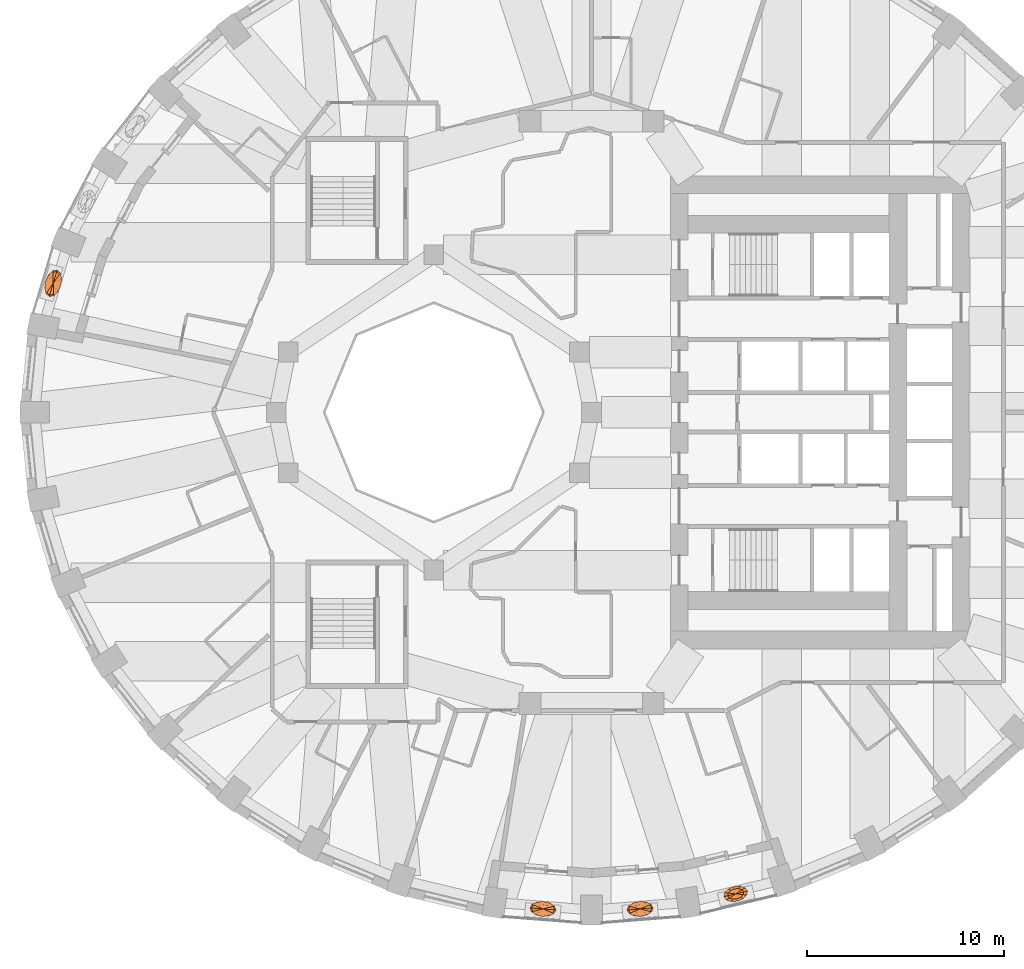
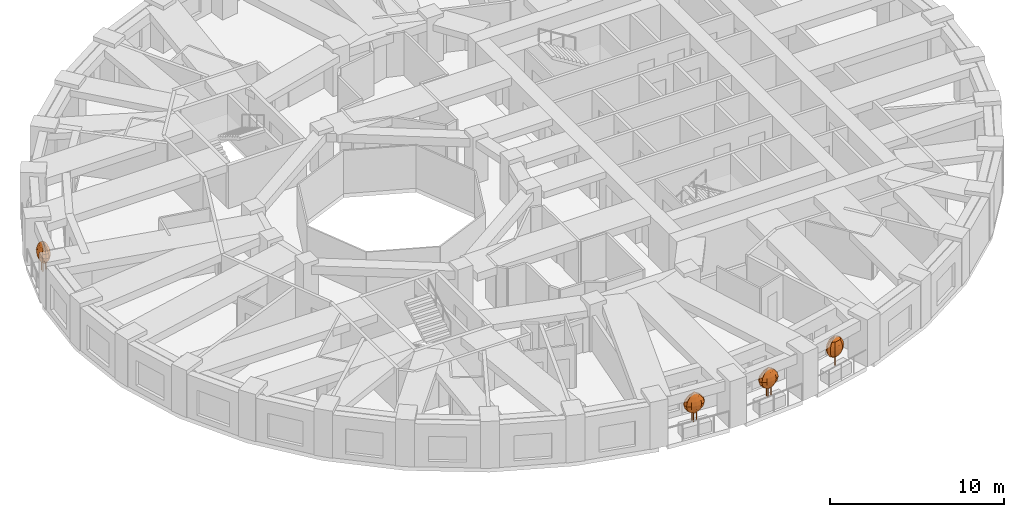
# One storey, part 12 of 13: 4 geographic elements.
"""IFC4 building model written with IfcOpenShell, lengths in metres."""

from ifc_helpers import new_model, si_unit, direction, frame, origin, place, context, subcontext, project, spatial, faceted_brep, material, constituent, constituent_set, type_object, element, save


model = new_model("IFC4")

# Units and contexts
model_context = context("Model", 3, precision=1e-05, world=origin(), true_north=direction((0.0, 1.0)))
body_context = subcontext(model_context, "Body", "Model", "MODEL_VIEW")
ifc_project = project(units=[si_unit("LENGTHUNIT", "METRE"), si_unit("AREAUNIT", "SQUARE_METRE"), si_unit("VOLUMEUNIT", "CUBIC_METRE"), si_unit("PLANEANGLEUNIT", "RADIAN"), si_unit("MASSUNIT", "GRAM", prefix="KILO")], contexts=[model_context])

# Site, building, storey
site_placement = place(None, origin())
site = spatial("IfcSite", under=ifc_project, at=site_placement, CompositionType="ELEMENT")
building_placement = place(site_placement, origin())
building = spatial("IfcBuilding", under=site, at=building_placement, Name="Taillehof Tower", CompositionType="ELEMENT")
storey_placement = place(building_placement, frame((0.0, 0.0, 74.5)))
storey = spatial("IfcBuildingStorey", under=building, at=storey_placement, Name="L20", CompositionType="ELEMENT", Elevation=74.5)

# Geographic elements
ifc_material_1 = material(Name="Tree bark", Category="timber")
ifc_constituent_1 = constituent(ifc_material_1, Name="Trunk", Category="timber")
ifc_material_2 = material(Name="Tree foliage")
ifc_constituent_2 = constituent(ifc_material_2, Name="Crown")
ifc_constituent_set_1 = constituent_set(constituents=[ifc_constituent_1, ifc_constituent_2], Name="Tree TR1 Columnar hornbeam")
geographic_element_type_1 = type_object("IfcGeographicElementType", Name="Tree TR1 Columnar hornbeam", PredefinedType="USERDEFINED", material=ifc_constituent_set_1)
geographic_element_1_placement = place(storey_placement, frame((7.31640625, -24.430419921875, 0.75)))
element("IfcGeographicElement", 1, at=geographic_element_1_placement, inside=storey, type_object=geographic_element_type_1, Name="Tree TR1 Columnar hornbeam", ObjectType="TREE", PredefinedType="USERDEFINED", context=body_context, shape_type="Brep", body=[
    faceted_brep([(0.030029296875, 0.0, 0.0), (0.021240234375, 0.021240234375, 0.0), (0.021240234375, 0.021240234375, 1.092529296875), (0.030029296875, 0.0, 1.092529296875), (0.0, 0.030029296875, 0.0), (0.0, 0.030029296875, 1.092529296875), (-0.021240234375, 0.021240234375, 0.0), (-0.021240234375, 0.021240234375, 1.092529296875), (-0.030029296875, 0.0, 0.0), (-0.030029296875, 0.0, 1.092529296875), (-0.021240234375, -0.021240234375, 0.0), (-0.021240234375, -0.021240234375, 1.092529296875), (0.0, -0.030029296875, 0.0), (0.0, -0.030029296875, 1.092529296875), (0.021240234375, -0.021240234375, 0.0), (0.021240234375, -0.021240234375, 1.092529296875)], [[[0, 1, 2, 3]], [[1, 4, 5, 2]], [[4, 6, 7, 5]], [[6, 8, 9, 7]], [[8, 10, 11, 9]], [[10, 12, 13, 11]], [[12, 14, 15, 13]], [[14, 0, 3, 15]], [[14, 12, 10, 8, 6, 4, 1, 0]], [[3, 2, 5, 7, 9, 11, 13, 15]]]),
    faceted_brep([(0.0, 0.0, 0.550048828125), (0.324951171875, 0.211181640625, 0.808349609375), (0.41015625, 0.09814453125, 0.808349609375), (0.15283203125, 0.267822265625, 0.808349609375), (-0.060546875, 0.25244140625, 0.808349609375), (-0.25732421875, 0.16943359375, 0.808349609375), (-0.385498046875, 0.041015625, 0.808349609375), (-0.41015625, -0.09814453125, 0.808349609375), (-0.324951171875, -0.211181640625, 0.808349609375), (-0.15283203125, -0.267822265625, 0.808349609375), (0.060546875, -0.25244140625, 0.808349609375), (0.25732421875, -0.16943359375, 0.808349609375), (0.385498046875, -0.041015625, 0.808349609375), (0.439697265625, 0.285888671875, 1.066650390625), (0.554931640625, 0.1328125, 1.066650390625), (0.20654296875, 0.362060546875, 1.066650390625), (-0.081787109375, 0.341552734375, 1.066650390625), (-0.34814453125, 0.229248046875, 1.066650390625), (-0.521484375, 0.0556640625, 1.066650390625), (-0.554931640625, -0.1328125, 1.066650390625), (-0.439697265625, -0.285888671875, 1.066650390625), (-0.20654296875, -0.362060546875, 1.066650390625), (0.081787109375, -0.341552734375, 1.066650390625), (0.34814453125, -0.229248046875, 1.066650390625), (0.521484375, -0.0556640625, 1.066650390625), (0.475830078125, 0.309326171875, 1.324951171875), (0.6005859375, 0.143798828125, 1.324951171875), (0.2236328125, 0.391845703125, 1.324951171875), (-0.088623046875, 0.36962890625, 1.324951171875), (-0.376953125, 0.248046875, 1.324951171875), (-0.564208984375, 0.060302734375, 1.324951171875), (-0.6005859375, -0.143798828125, 1.324951171875), (-0.475830078125, -0.309326171875, 1.324951171875), (-0.2236328125, -0.391845703125, 1.324951171875), (0.088623046875, -0.36962890625, 1.324951171875), (0.376953125, -0.248046875, 1.324951171875), (0.564208984375, -0.060302734375, 1.324951171875), (0.439697265625, 0.285888671875, 1.583251953125), (0.554931640625, 0.1328125, 1.583251953125), (0.20654296875, 0.362060546875, 1.583251953125), (-0.081787109375, 0.341552734375, 1.583251953125), (-0.34814453125, 0.229248046875, 1.583251953125), (-0.521484375, 0.0556640625, 1.583251953125), (-0.554931640625, -0.1328125, 1.583251953125), (-0.439697265625, -0.285888671875, 1.583251953125), (-0.20654296875, -0.362060546875, 1.583251953125), (0.081787109375, -0.341552734375, 1.583251953125), (0.34814453125, -0.229248046875, 1.583251953125), (0.521484375, -0.0556640625, 1.583251953125), (0.324951171875, 0.211181640625, 1.841552734375), (0.41015625, 0.09814453125, 1.841552734375), (0.15283203125, 0.267822265625, 1.841552734375), (-0.060546875, 0.25244140625, 1.841552734375), (-0.25732421875, 0.16943359375, 1.841552734375), (-0.385498046875, 0.041015625, 1.841552734375), (-0.41015625, -0.09814453125, 1.841552734375), (-0.324951171875, -0.211181640625, 1.841552734375), (-0.15283203125, -0.267822265625, 1.841552734375), (0.060546875, -0.25244140625, 1.841552734375), (0.25732421875, -0.16943359375, 1.841552734375), (0.385498046875, -0.041015625, 1.841552734375), (0.0, 0.0, 2.10009765625)], [[[0, 1, 2]], [[0, 3, 1]], [[0, 4, 3]], [[0, 5, 4]], [[0, 6, 5]], [[0, 7, 6]], [[0, 8, 7]], [[0, 9, 8]], [[0, 10, 9]], [[0, 11, 10]], [[0, 12, 11]], [[0, 2, 12]], [[2, 1, 13, 14]], [[1, 3, 15, 13]], [[3, 4, 16, 15]], [[4, 5, 17, 16]], [[5, 6, 18, 17]], [[6, 7, 19, 18]], [[7, 8, 20, 19]], [[8, 9, 21, 20]], [[9, 10, 22, 21]], [[10, 11, 23, 22]], [[11, 12, 24, 23]], [[12, 2, 14, 24]], [[14, 13, 25, 26]], [[13, 15, 27, 25]], [[15, 16, 28, 27]], [[16, 17, 29, 28]], [[17, 18, 30, 29]], [[18, 19, 31, 30]], [[19, 20, 32, 31]], [[20, 21, 33, 32]], [[21, 22, 34, 33]], [[22, 23, 35, 34]], [[23, 24, 36, 35]], [[24, 14, 26, 36]], [[26, 25, 37, 38]], [[25, 27, 39, 37]], [[27, 28, 40, 39]], [[28, 29, 41, 40]], [[29, 30, 42, 41]], [[30, 31, 43, 42]], [[31, 32, 44, 43]], [[32, 33, 45, 44]], [[33, 34, 46, 45]], [[34, 35, 47, 46]], [[35, 36, 48, 47]], [[36, 26, 38, 48]], [[38, 37, 49, 50]], [[37, 39, 51, 49]], [[39, 40, 52, 51]], [[40, 41, 53, 52]], [[41, 42, 54, 53]], [[42, 43, 55, 54]], [[43, 44, 56, 55]], [[44, 45, 57, 56]], [[45, 46, 58, 57]], [[46, 47, 59, 58]], [[47, 48, 60, 59]], [[48, 38, 50, 60]], [[50, 49, 61]], [[49, 51, 61]], [[51, 52, 61]], [[52, 53, 61]], [[53, 54, 61]], [[54, 55, 61]], [[55, 56, 61]], [[56, 57, 61]], [[57, 58, 61]], [[58, 59, 61]], [[59, 60, 61]], [[60, 50, 61]]]),
])
ifc_material_3 = material(Name="Tree bark", Category="timber")
ifc_constituent_3 = constituent(ifc_material_3, Name="Trunk", Category="timber")
ifc_material_4 = material(Name="Tree foliage")
ifc_constituent_4 = constituent(ifc_material_4, Name="Crown")
ifc_constituent_set_2 = constituent_set(constituents=[ifc_constituent_3, ifc_constituent_4], Name="Tree TR3 Multi-stem serviceberry")
geographic_element_type_2 = type_object("IfcGeographicElementType", Name="Tree TR3 Multi-stem serviceberry", PredefinedType="USERDEFINED", material=ifc_constituent_set_2)
geographic_element_2_placement = place(storey_placement, frame((-2.463623046875, -25.195556640625, 0.75)))
element("IfcGeographicElement", 2, at=geographic_element_2_placement, inside=storey, type_object=geographic_element_type_2, Name="Tree TR3 Multi-stem serviceberry", ObjectType="TREE", PredefinedType="USERDEFINED", context=body_context, shape_type="Brep", body=[
    faceted_brep([(0.195068359375, 0.0, 0.0), (0.186767578125, 0.0205078125, 0.0), (0.186767578125, 0.0205078125, 1.04248046875), (0.195068359375, 0.0, 1.04248046875), (0.166259765625, 0.02880859375, 0.0), (0.166259765625, 0.02880859375, 1.04248046875), (0.145751953125, 0.0205078125, 0.0), (0.145751953125, 0.0205078125, 1.04248046875), (0.137451171875, 0.0, 0.0), (0.137451171875, 0.0, 1.04248046875), (0.145751953125, -0.0205078125, 0.0), (0.145751953125, -0.0205078125, 1.04248046875), (0.166259765625, -0.02880859375, 0.0), (0.166259765625, -0.02880859375, 1.04248046875), (0.186767578125, -0.0205078125, 0.0), (0.186767578125, -0.0205078125, 1.04248046875)], [[[0, 1, 2, 3]], [[1, 4, 5, 2]], [[4, 6, 7, 5]], [[6, 8, 9, 7]], [[8, 10, 11, 9]], [[10, 12, 13, 11]], [[12, 14, 15, 13]], [[14, 0, 3, 15]], [[14, 12, 10, 8, 6, 4, 1, 0]], [[3, 2, 5, 7, 9, 11, 13, 15]]]),
    faceted_brep([(-0.05419921875, 0.082275390625, 0.0), (-0.062744140625, 0.102783203125, 0.0), (-0.062744140625, 0.102783203125, 1.04248046875), (-0.05419921875, 0.082275390625, 1.04248046875), (-0.0830078125, 0.111083984375, 0.0), (-0.0830078125, 0.111083984375, 1.04248046875), (-0.103515625, 0.102783203125, 0.0), (-0.103515625, 0.102783203125, 1.04248046875), (-0.112060546875, 0.082275390625, 0.0), (-0.112060546875, 0.082275390625, 1.04248046875), (-0.103515625, 0.061767578125, 0.0), (-0.103515625, 0.061767578125, 1.04248046875), (-0.0830078125, 0.053466796875, 0.0), (-0.0830078125, 0.053466796875, 1.04248046875), (-0.062744140625, 0.061767578125, 0.0), (-0.062744140625, 0.061767578125, 1.04248046875)], [[[0, 1, 2, 3]], [[1, 4, 5, 2]], [[4, 6, 7, 5]], [[6, 8, 9, 7]], [[8, 10, 11, 9]], [[10, 12, 13, 11]], [[12, 14, 15, 13]], [[14, 0, 3, 15]], [[14, 12, 10, 8, 6, 4, 1, 0]], [[3, 2, 5, 7, 9, 11, 13, 15]]]),
    faceted_brep([(-0.05419921875, -0.082275390625, 0.0), (-0.062744140625, -0.061767578125, 0.0), (-0.062744140625, -0.061767578125, 1.04248046875), (-0.05419921875, -0.082275390625, 1.04248046875), (-0.0830078125, -0.053466796875, 0.0), (-0.0830078125, -0.053466796875, 1.04248046875), (-0.103515625, -0.061767578125, 0.0), (-0.103515625, -0.061767578125, 1.04248046875), (-0.112060546875, -0.082275390625, 0.0), (-0.112060546875, -0.082275390625, 1.04248046875), (-0.103515625, -0.102783203125, 0.0), (-0.103515625, -0.102783203125, 1.04248046875), (-0.0830078125, -0.111083984375, 0.0), (-0.0830078125, -0.111083984375, 1.04248046875), (-0.062744140625, -0.102783203125, 0.0), (-0.062744140625, -0.102783203125, 1.04248046875)], [[[0, 1, 2, 3]], [[1, 4, 5, 2]], [[4, 6, 7, 5]], [[6, 8, 9, 7]], [[8, 10, 11, 9]], [[10, 12, 13, 11]], [[12, 14, 15, 13]], [[14, 0, 3, 15]], [[14, 12, 10, 8, 6, 4, 1, 0]], [[3, 2, 5, 7, 9, 11, 13, 15]]]),
    faceted_brep([(0.0, 0.0, 0.5), (0.33837890625, 0.0830078125, 0.75830078125), (0.380859375, -0.02978515625, 0.75830078125), (0.205078125, 0.173583984375, 0.75830078125), (0.01708984375, 0.217529296875, 0.75830078125), (-0.175537109375, 0.203369140625, 0.75830078125), (-0.3212890625, 0.134521484375, 0.75830078125), (-0.380859375, 0.02978515625, 0.75830078125), (-0.33837890625, -0.0830078125, 0.75830078125), (-0.205078125, -0.173583984375, 0.75830078125), (-0.01708984375, -0.217529296875, 0.75830078125), (0.175537109375, -0.203369140625, 0.75830078125), (0.3212890625, -0.134521484375, 0.75830078125), (0.52490234375, 0.12890625, 1.0166015625), (0.5908203125, -0.046142578125, 1.0166015625), (0.318359375, 0.269287109375, 1.0166015625), (0.0263671875, 0.337646484375, 1.0166015625), (-0.272705078125, 0.3154296875, 1.0166015625), (-0.49853515625, 0.208740234375, 1.0166015625), (-0.5908203125, 0.046142578125, 1.0166015625), (-0.52490234375, -0.12890625, 1.0166015625), (-0.318359375, -0.269287109375, 1.0166015625), (-0.0263671875, -0.337646484375, 1.0166015625), (0.272705078125, -0.3154296875, 1.0166015625), (0.49853515625, -0.208740234375, 1.0166015625), (0.5888671875, 0.14453125, 1.27490234375), (0.6630859375, -0.0517578125, 1.27490234375), (0.357177734375, 0.30224609375, 1.27490234375), (0.029541015625, 0.37890625, 1.27490234375), (-0.305908203125, 0.35400390625, 1.27490234375), (-0.559326171875, 0.234375, 1.27490234375), (-0.6630859375, 0.0517578125, 1.27490234375), (-0.5888671875, -0.14453125, 1.27490234375), (-0.357177734375, -0.30224609375, 1.27490234375), (-0.029541015625, -0.37890625, 1.27490234375), (0.305908203125, -0.35400390625, 1.27490234375), (0.559326171875, -0.234375, 1.27490234375), (0.52490234375, 0.12890625, 1.533447265625), (0.5908203125, -0.046142578125, 1.533447265625), (0.318359375, 0.269287109375, 1.533447265625), (0.0263671875, 0.337646484375, 1.533447265625), (-0.272705078125, 0.3154296875, 1.533447265625), (-0.49853515625, 0.208740234375, 1.533447265625), (-0.5908203125, 0.046142578125, 1.533447265625), (-0.52490234375, -0.12890625, 1.533447265625), (-0.318359375, -0.269287109375, 1.533447265625), (-0.0263671875, -0.337646484375, 1.533447265625), (0.272705078125, -0.3154296875, 1.533447265625), (0.49853515625, -0.208740234375, 1.533447265625), (0.33837890625, 0.0830078125, 1.791748046875), (0.380859375, -0.02978515625, 1.791748046875), (0.205078125, 0.173583984375, 1.791748046875), (0.01708984375, 0.217529296875, 1.791748046875), (-0.175537109375, 0.203369140625, 1.791748046875), (-0.3212890625, 0.134521484375, 1.791748046875), (-0.380859375, 0.02978515625, 1.791748046875), (-0.33837890625, -0.0830078125, 1.791748046875), (-0.205078125, -0.173583984375, 1.791748046875), (-0.01708984375, -0.217529296875, 1.791748046875), (0.175537109375, -0.203369140625, 1.791748046875), (0.3212890625, -0.134521484375, 1.791748046875), (0.0, 0.0, 2.050048828125)], [[[0, 1, 2]], [[0, 3, 1]], [[0, 4, 3]], [[0, 5, 4]], [[0, 6, 5]], [[0, 7, 6]], [[0, 8, 7]], [[0, 9, 8]], [[0, 10, 9]], [[0, 11, 10]], [[0, 12, 11]], [[0, 2, 12]], [[2, 1, 13, 14]], [[1, 3, 15, 13]], [[3, 4, 16, 15]], [[4, 5, 17, 16]], [[5, 6, 18, 17]], [[6, 7, 19, 18]], [[7, 8, 20, 19]], [[8, 9, 21, 20]], [[9, 10, 22, 21]], [[10, 11, 23, 22]], [[11, 12, 24, 23]], [[12, 2, 14, 24]], [[14, 13, 25, 26]], [[13, 15, 27, 25]], [[15, 16, 28, 27]], [[16, 17, 29, 28]], [[17, 18, 30, 29]], [[18, 19, 31, 30]], [[19, 20, 32, 31]], [[20, 21, 33, 32]], [[21, 22, 34, 33]], [[22, 23, 35, 34]], [[23, 24, 36, 35]], [[24, 14, 26, 36]], [[26, 25, 37, 38]], [[25, 27, 39, 37]], [[27, 28, 40, 39]], [[28, 29, 41, 40]], [[29, 30, 42, 41]], [[30, 31, 43, 42]], [[31, 32, 44, 43]], [[32, 33, 45, 44]], [[33, 34, 46, 45]], [[34, 35, 47, 46]], [[35, 36, 48, 47]], [[36, 26, 38, 48]], [[38, 37, 49, 50]], [[37, 39, 51, 49]], [[39, 40, 52, 51]], [[40, 41, 53, 52]], [[41, 42, 54, 53]], [[42, 43, 55, 54]], [[43, 44, 56, 55]], [[44, 45, 57, 56]], [[45, 46, 58, 57]], [[46, 47, 59, 58]], [[47, 48, 60, 59]], [[48, 38, 50, 60]], [[50, 49, 61]], [[49, 51, 61]], [[51, 52, 61]], [[52, 53, 61]], [[53, 54, 61]], [[54, 55, 61]], [[55, 56, 61]], [[56, 57, 61]], [[57, 58, 61]], [[58, 59, 61]], [[59, 60, 61]], [[60, 50, 61]]]),
])
geographic_element_3_placement = place(storey_placement, frame((2.463623046875, -25.195556640625, 0.75)))
element("IfcGeographicElement", 3, at=geographic_element_3_placement, inside=storey, type_object=geographic_element_type_2, Name="Tree TR3 Multi-stem serviceberry", ObjectType="TREE", PredefinedType="USERDEFINED", context=body_context, shape_type="Brep", body=[
    faceted_brep([(0.195068359375, 0.0, 0.0), (0.186767578125, 0.0205078125, 0.0), (0.186767578125, 0.0205078125, 1.04248046875), (0.195068359375, 0.0, 1.04248046875), (0.166259765625, 0.02880859375, 0.0), (0.166259765625, 0.02880859375, 1.04248046875), (0.145751953125, 0.0205078125, 0.0), (0.145751953125, 0.0205078125, 1.04248046875), (0.137451171875, 0.0, 0.0), (0.137451171875, 0.0, 1.04248046875), (0.145751953125, -0.0205078125, 0.0), (0.145751953125, -0.0205078125, 1.04248046875), (0.166259765625, -0.02880859375, 0.0), (0.166259765625, -0.02880859375, 1.04248046875), (0.186767578125, -0.0205078125, 0.0), (0.186767578125, -0.0205078125, 1.04248046875)], [[[0, 1, 2, 3]], [[1, 4, 5, 2]], [[4, 6, 7, 5]], [[6, 8, 9, 7]], [[8, 10, 11, 9]], [[10, 12, 13, 11]], [[12, 14, 15, 13]], [[14, 0, 3, 15]], [[14, 12, 10, 8, 6, 4, 1, 0]], [[3, 2, 5, 7, 9, 11, 13, 15]]]),
    faceted_brep([(-0.05419921875, 0.082275390625, 0.0), (-0.062744140625, 0.102783203125, 0.0), (-0.062744140625, 0.102783203125, 1.04248046875), (-0.05419921875, 0.082275390625, 1.04248046875), (-0.0830078125, 0.111083984375, 0.0), (-0.0830078125, 0.111083984375, 1.04248046875), (-0.103515625, 0.102783203125, 0.0), (-0.103515625, 0.102783203125, 1.04248046875), (-0.112060546875, 0.082275390625, 0.0), (-0.112060546875, 0.082275390625, 1.04248046875), (-0.103515625, 0.061767578125, 0.0), (-0.103515625, 0.061767578125, 1.04248046875), (-0.0830078125, 0.053466796875, 0.0), (-0.0830078125, 0.053466796875, 1.04248046875), (-0.062744140625, 0.061767578125, 0.0), (-0.062744140625, 0.061767578125, 1.04248046875)], [[[0, 1, 2, 3]], [[1, 4, 5, 2]], [[4, 6, 7, 5]], [[6, 8, 9, 7]], [[8, 10, 11, 9]], [[10, 12, 13, 11]], [[12, 14, 15, 13]], [[14, 0, 3, 15]], [[14, 12, 10, 8, 6, 4, 1, 0]], [[3, 2, 5, 7, 9, 11, 13, 15]]]),
    faceted_brep([(-0.05419921875, -0.082275390625, 0.0), (-0.062744140625, -0.061767578125, 0.0), (-0.062744140625, -0.061767578125, 1.04248046875), (-0.05419921875, -0.082275390625, 1.04248046875), (-0.0830078125, -0.053466796875, 0.0), (-0.0830078125, -0.053466796875, 1.04248046875), (-0.103515625, -0.061767578125, 0.0), (-0.103515625, -0.061767578125, 1.04248046875), (-0.112060546875, -0.082275390625, 0.0), (-0.112060546875, -0.082275390625, 1.04248046875), (-0.103515625, -0.102783203125, 0.0), (-0.103515625, -0.102783203125, 1.04248046875), (-0.0830078125, -0.111083984375, 0.0), (-0.0830078125, -0.111083984375, 1.04248046875), (-0.062744140625, -0.102783203125, 0.0), (-0.062744140625, -0.102783203125, 1.04248046875)], [[[0, 1, 2, 3]], [[1, 4, 5, 2]], [[4, 6, 7, 5]], [[6, 8, 9, 7]], [[8, 10, 11, 9]], [[10, 12, 13, 11]], [[12, 14, 15, 13]], [[14, 0, 3, 15]], [[14, 12, 10, 8, 6, 4, 1, 0]], [[3, 2, 5, 7, 9, 11, 13, 15]]]),
    faceted_brep([(0.0, 0.0, 0.5), (0.3212890625, 0.134521484375, 0.75830078125), (0.380859375, 0.02978515625, 0.75830078125), (0.175537109375, 0.203369140625, 0.75830078125), (-0.01708984375, 0.217529296875, 0.75830078125), (-0.205078125, 0.173583984375, 0.75830078125), (-0.33837890625, 0.0830078125, 0.75830078125), (-0.380859375, -0.02978515625, 0.75830078125), (-0.3212890625, -0.134521484375, 0.75830078125), (-0.175537109375, -0.203369140625, 0.75830078125), (0.01708984375, -0.217529296875, 0.75830078125), (0.205078125, -0.173583984375, 0.75830078125), (0.33837890625, -0.0830078125, 0.75830078125), (0.49853515625, 0.208740234375, 1.0166015625), (0.5908203125, 0.046142578125, 1.0166015625), (0.272705078125, 0.3154296875, 1.0166015625), (-0.0263671875, 0.337646484375, 1.0166015625), (-0.318359375, 0.269287109375, 1.0166015625), (-0.52490234375, 0.12890625, 1.0166015625), (-0.5908203125, -0.046142578125, 1.0166015625), (-0.49853515625, -0.208740234375, 1.0166015625), (-0.272705078125, -0.3154296875, 1.0166015625), (0.0263671875, -0.337646484375, 1.0166015625), (0.318359375, -0.269287109375, 1.0166015625), (0.52490234375, -0.12890625, 1.0166015625), (0.559326171875, 0.234375, 1.27490234375), (0.6630859375, 0.0517578125, 1.27490234375), (0.305908203125, 0.35400390625, 1.27490234375), (-0.029541015625, 0.37890625, 1.27490234375), (-0.357177734375, 0.30224609375, 1.27490234375), (-0.5888671875, 0.14453125, 1.27490234375), (-0.6630859375, -0.0517578125, 1.27490234375), (-0.559326171875, -0.234375, 1.27490234375), (-0.305908203125, -0.35400390625, 1.27490234375), (0.029541015625, -0.37890625, 1.27490234375), (0.357177734375, -0.30224609375, 1.27490234375), (0.5888671875, -0.14453125, 1.27490234375), (0.49853515625, 0.208740234375, 1.533447265625), (0.5908203125, 0.046142578125, 1.533447265625), (0.272705078125, 0.3154296875, 1.533447265625), (-0.0263671875, 0.337646484375, 1.533447265625), (-0.318359375, 0.269287109375, 1.533447265625), (-0.52490234375, 0.12890625, 1.533447265625), (-0.5908203125, -0.046142578125, 1.533447265625), (-0.49853515625, -0.208740234375, 1.533447265625), (-0.272705078125, -0.3154296875, 1.533447265625), (0.0263671875, -0.337646484375, 1.533447265625), (0.318359375, -0.269287109375, 1.533447265625), (0.52490234375, -0.12890625, 1.533447265625), (0.3212890625, 0.134521484375, 1.791748046875), (0.380859375, 0.02978515625, 1.791748046875), (0.175537109375, 0.203369140625, 1.791748046875), (-0.01708984375, 0.217529296875, 1.791748046875), (-0.205078125, 0.173583984375, 1.791748046875), (-0.33837890625, 0.0830078125, 1.791748046875), (-0.380859375, -0.02978515625, 1.791748046875), (-0.3212890625, -0.134521484375, 1.791748046875), (-0.175537109375, -0.203369140625, 1.791748046875), (0.01708984375, -0.217529296875, 1.791748046875), (0.205078125, -0.173583984375, 1.791748046875), (0.33837890625, -0.0830078125, 1.791748046875), (0.0, 0.0, 2.050048828125)], [[[0, 1, 2]], [[0, 3, 1]], [[0, 4, 3]], [[0, 5, 4]], [[0, 6, 5]], [[0, 7, 6]], [[0, 8, 7]], [[0, 9, 8]], [[0, 10, 9]], [[0, 11, 10]], [[0, 12, 11]], [[0, 2, 12]], [[2, 1, 13, 14]], [[1, 3, 15, 13]], [[3, 4, 16, 15]], [[4, 5, 17, 16]], [[5, 6, 18, 17]], [[6, 7, 19, 18]], [[7, 8, 20, 19]], [[8, 9, 21, 20]], [[9, 10, 22, 21]], [[10, 11, 23, 22]], [[11, 12, 24, 23]], [[12, 2, 14, 24]], [[14, 13, 25, 26]], [[13, 15, 27, 25]], [[15, 16, 28, 27]], [[16, 17, 29, 28]], [[17, 18, 30, 29]], [[18, 19, 31, 30]], [[19, 20, 32, 31]], [[20, 21, 33, 32]], [[21, 22, 34, 33]], [[22, 23, 35, 34]], [[23, 24, 36, 35]], [[24, 14, 26, 36]], [[26, 25, 37, 38]], [[25, 27, 39, 37]], [[27, 28, 40, 39]], [[28, 29, 41, 40]], [[29, 30, 42, 41]], [[30, 31, 43, 42]], [[31, 32, 44, 43]], [[32, 33, 45, 44]], [[33, 34, 46, 45]], [[34, 35, 47, 46]], [[35, 36, 48, 47]], [[36, 26, 38, 48]], [[38, 37, 49, 50]], [[37, 39, 51, 49]], [[39, 40, 52, 51]], [[40, 41, 53, 52]], [[41, 42, 54, 53]], [[42, 43, 55, 54]], [[43, 44, 56, 55]], [[44, 45, 57, 56]], [[45, 46, 58, 57]], [[46, 47, 59, 58]], [[47, 48, 60, 59]], [[48, 38, 50, 60]], [[50, 49, 61]], [[49, 51, 61]], [[51, 52, 61]], [[52, 53, 61]], [[53, 54, 61]], [[54, 55, 61]], [[55, 56, 61]], [[56, 57, 61]], [[57, 58, 61]], [[58, 59, 61]], [[59, 60, 61]], [[60, 50, 61]]]),
])
geographic_element_4_placement = place(storey_placement, frame((-27.314697265625, 6.548583984375, 0.75)))
element("IfcGeographicElement", 4, at=geographic_element_4_placement, inside=storey, type_object=geographic_element_type_2, Name="Tree TR3 Multi-stem serviceberry", ObjectType="TREE", PredefinedType="USERDEFINED", context=body_context, shape_type="Brep", body=[
    faceted_brep([(0.203857421875, 0.0, 0.0), (0.1953125, 0.0205078125, 0.0), (0.1953125, 0.0205078125, 1.04248046875), (0.203857421875, 0.0, 1.04248046875), (0.175048828125, 0.02880859375, 0.0), (0.175048828125, 0.02880859375, 1.04248046875), (0.154541015625, 0.0205078125, 0.0), (0.154541015625, 0.0205078125, 1.04248046875), (0.146240234375, 0.0, 0.0), (0.146240234375, 0.0, 1.04248046875), (0.154541015625, -0.0205078125, 0.0), (0.154541015625, -0.0205078125, 1.04248046875), (0.175048828125, -0.02880859375, 0.0), (0.175048828125, -0.02880859375, 1.04248046875), (0.1953125, -0.0205078125, 0.0), (0.1953125, -0.0205078125, 1.04248046875)], [[[0, 1, 2, 3]], [[1, 4, 5, 2]], [[4, 6, 7, 5]], [[6, 8, 9, 7]], [[8, 10, 11, 9]], [[10, 12, 13, 11]], [[12, 14, 15, 13]], [[14, 0, 3, 15]], [[14, 12, 10, 8, 6, 4, 1, 0]], [[3, 2, 5, 7, 9, 11, 13, 15]]]),
    faceted_brep([(-0.05859375, 0.086669921875, 0.0), (-0.067138671875, 0.10693359375, 0.0), (-0.067138671875, 0.10693359375, 1.04248046875), (-0.05859375, 0.086669921875, 1.04248046875), (-0.08740234375, 0.115478515625, 0.0), (-0.08740234375, 0.115478515625, 1.04248046875), (-0.10791015625, 0.10693359375, 0.0), (-0.10791015625, 0.10693359375, 1.04248046875), (-0.116455078125, 0.086669921875, 0.0), (-0.116455078125, 0.086669921875, 1.04248046875), (-0.10791015625, 0.066162109375, 0.0), (-0.10791015625, 0.066162109375, 1.04248046875), (-0.08740234375, 0.0576171875, 0.0), (-0.08740234375, 0.0576171875, 1.04248046875), (-0.067138671875, 0.066162109375, 0.0), (-0.067138671875, 0.066162109375, 1.04248046875)], [[[0, 1, 2, 3]], [[1, 4, 5, 2]], [[4, 6, 7, 5]], [[6, 8, 9, 7]], [[8, 10, 11, 9]], [[10, 12, 13, 11]], [[12, 14, 15, 13]], [[14, 0, 3, 15]], [[14, 12, 10, 8, 6, 4, 1, 0]], [[3, 2, 5, 7, 9, 11, 13, 15]]]),
    faceted_brep([(-0.05859375, -0.086669921875, 0.0), (-0.067138671875, -0.066162109375, 0.0), (-0.067138671875, -0.066162109375, 1.04248046875), (-0.05859375, -0.086669921875, 1.04248046875), (-0.08740234375, -0.0576171875, 0.0), (-0.08740234375, -0.0576171875, 1.04248046875), (-0.10791015625, -0.066162109375, 0.0), (-0.10791015625, -0.066162109375, 1.04248046875), (-0.116455078125, -0.086669921875, 0.0), (-0.116455078125, -0.086669921875, 1.04248046875), (-0.10791015625, -0.10693359375, 0.0), (-0.10791015625, -0.10693359375, 1.04248046875), (-0.08740234375, -0.115478515625, 0.0), (-0.08740234375, -0.115478515625, 1.04248046875), (-0.067138671875, -0.10693359375, 0.0), (-0.067138671875, -0.10693359375, 1.04248046875)], [[[0, 1, 2, 3]], [[1, 4, 5, 2]], [[4, 6, 7, 5]], [[6, 8, 9, 7]], [[8, 10, 11, 9]], [[10, 12, 13, 11]], [[12, 14, 15, 13]], [[14, 0, 3, 15]], [[14, 12, 10, 8, 6, 4, 1, 0]], [[3, 2, 5, 7, 9, 11, 13, 15]]]),
    faceted_brep([(0.0, 0.0, 0.5), (0.010009765625, -0.366455078125, 0.75830078125), (-0.115478515625, -0.385009765625, 0.75830078125), (0.1328125, -0.249755859375, 0.75830078125), (0.219970703125, -0.06591796875, 0.75830078125), (0.248291015625, 0.135498046875, 0.75830078125), (0.2099609375, 0.300537109375, 0.75830078125), (0.115478515625, 0.385009765625, 0.75830078125), (-0.010009765625, 0.366455078125, 0.75830078125), (-0.1328125, 0.249755859375, 0.75830078125), (-0.219970703125, 0.06591796875, 0.75830078125), (-0.248291015625, -0.135498046875, 0.75830078125), (-0.2099609375, -0.300537109375, 0.75830078125), (0.015625, -0.56884765625, 1.0166015625), (-0.17919921875, -0.59765625, 1.0166015625), (0.206298828125, -0.387451171875, 1.0166015625), (0.341552734375, -0.102294921875, 1.0166015625), (0.38525390625, 0.210205078125, 1.0166015625), (0.325927734375, 0.46630859375, 1.0166015625), (0.17919921875, 0.59765625, 1.0166015625), (-0.015625, 0.56884765625, 1.0166015625), (-0.206298828125, 0.387451171875, 1.0166015625), (-0.341552734375, 0.102294921875, 1.0166015625), (-0.38525390625, -0.210205078125, 1.0166015625), (-0.325927734375, -0.46630859375, 1.0166015625), (0.017578125, -0.63818359375, 1.27490234375), (-0.200927734375, -0.67041015625, 1.27490234375), (0.2314453125, -0.434814453125, 1.27490234375), (0.383056640625, -0.11474609375, 1.27490234375), (0.432373046875, 0.23583984375, 1.27490234375), (0.36572265625, 0.523193359375, 1.27490234375), (0.200927734375, 0.67041015625, 1.27490234375), (-0.017578125, 0.63818359375, 1.27490234375), (-0.2314453125, 0.434814453125, 1.27490234375), (-0.383056640625, 0.11474609375, 1.27490234375), (-0.432373046875, -0.23583984375, 1.27490234375), (-0.36572265625, -0.523193359375, 1.27490234375), (0.015625, -0.56884765625, 1.533447265625), (-0.17919921875, -0.59765625, 1.533447265625), (0.206298828125, -0.387451171875, 1.533447265625), (0.341552734375, -0.102294921875, 1.533447265625), (0.38525390625, 0.210205078125, 1.533447265625), (0.325927734375, 0.46630859375, 1.533447265625), (0.17919921875, 0.59765625, 1.533447265625), (-0.015625, 0.56884765625, 1.533447265625), (-0.206298828125, 0.387451171875, 1.533447265625), (-0.341552734375, 0.102294921875, 1.533447265625), (-0.38525390625, -0.210205078125, 1.533447265625), (-0.325927734375, -0.46630859375, 1.533447265625), (0.010009765625, -0.366455078125, 1.791748046875), (-0.115478515625, -0.385009765625, 1.791748046875), (0.1328125, -0.249755859375, 1.791748046875), (0.219970703125, -0.06591796875, 1.791748046875), (0.248291015625, 0.135498046875, 1.791748046875), (0.2099609375, 0.300537109375, 1.791748046875), (0.115478515625, 0.385009765625, 1.791748046875), (-0.010009765625, 0.366455078125, 1.791748046875), (-0.1328125, 0.249755859375, 1.791748046875), (-0.219970703125, 0.06591796875, 1.791748046875), (-0.248291015625, -0.135498046875, 1.791748046875), (-0.2099609375, -0.300537109375, 1.791748046875), (0.0, 0.0, 2.050048828125)], [[[0, 1, 2]], [[0, 3, 1]], [[0, 4, 3]], [[0, 5, 4]], [[0, 6, 5]], [[0, 7, 6]], [[0, 8, 7]], [[0, 9, 8]], [[0, 10, 9]], [[0, 11, 10]], [[0, 12, 11]], [[0, 2, 12]], [[2, 1, 13, 14]], [[1, 3, 15, 13]], [[3, 4, 16, 15]], [[4, 5, 17, 16]], [[5, 6, 18, 17]], [[6, 7, 19, 18]], [[7, 8, 20, 19]], [[8, 9, 21, 20]], [[9, 10, 22, 21]], [[10, 11, 23, 22]], [[11, 12, 24, 23]], [[12, 2, 14, 24]], [[14, 13, 25, 26]], [[13, 15, 27, 25]], [[15, 16, 28, 27]], [[16, 17, 29, 28]], [[17, 18, 30, 29]], [[18, 19, 31, 30]], [[19, 20, 32, 31]], [[20, 21, 33, 32]], [[21, 22, 34, 33]], [[22, 23, 35, 34]], [[23, 24, 36, 35]], [[24, 14, 26, 36]], [[26, 25, 37, 38]], [[25, 27, 39, 37]], [[27, 28, 40, 39]], [[28, 29, 41, 40]], [[29, 30, 42, 41]], [[30, 31, 43, 42]], [[31, 32, 44, 43]], [[32, 33, 45, 44]], [[33, 34, 46, 45]], [[34, 35, 47, 46]], [[35, 36, 48, 47]], [[36, 26, 38, 48]], [[38, 37, 49, 50]], [[37, 39, 51, 49]], [[39, 40, 52, 51]], [[40, 41, 53, 52]], [[41, 42, 54, 53]], [[42, 43, 55, 54]], [[43, 44, 56, 55]], [[44, 45, 57, 56]], [[45, 46, 58, 57]], [[46, 47, 59, 58]], [[47, 48, 60, 59]], [[48, 38, 50, 60]], [[50, 49, 61]], [[49, 51, 61]], [[51, 52, 61]], [[52, 53, 61]], [[53, 54, 61]], [[54, 55, 61]], [[55, 56, 61]], [[56, 57, 61]], [[57, 58, 61]], [[58, 59, 61]], [[59, 60, 61]], [[60, 50, 61]]]),
])

save(model, "model.ifc")
